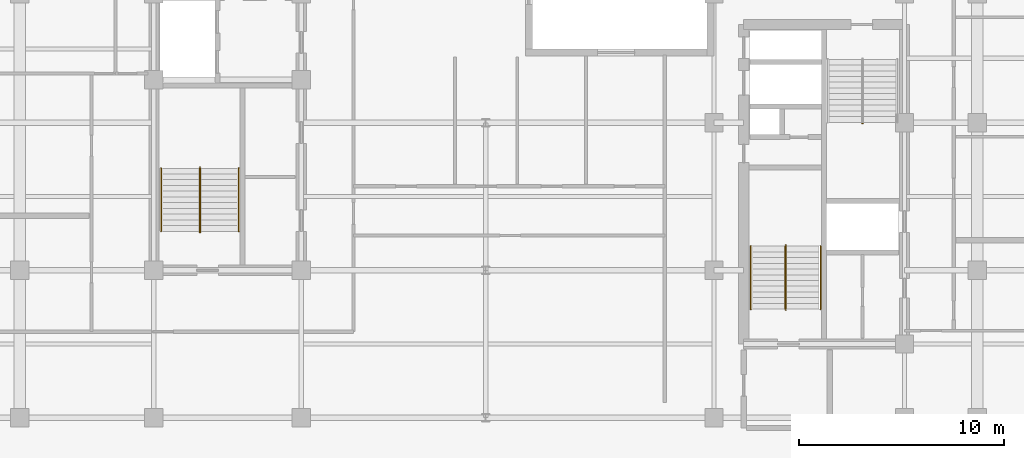
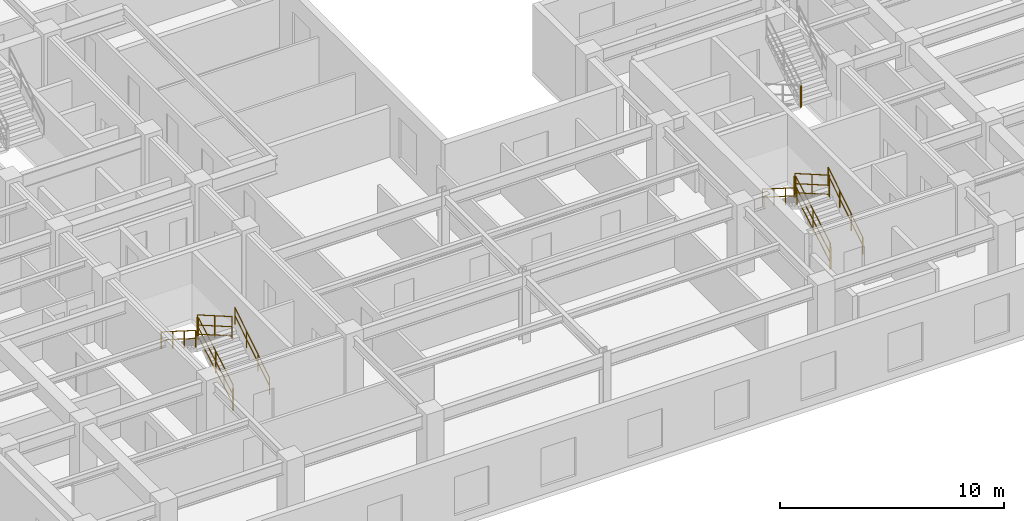
# One storey, part 9 of 11: 13 railings.
"""IFC4 building model written with IfcOpenShell, lengths in metres."""

from ifc_helpers import new_model, entity, si_unit, converted_unit, direction, frame, origin_with_axes, origin_2d_with_axis, place, context, subcontext, project, spatial, rectangle, circle, extrude, material, type_object, element, save


model = new_model("IFC4")

# Units and contexts
model_context = context("Model", 3, precision=1e-05, world=origin_with_axes(), true_north=direction((0.0, 1.0)))
body_context = subcontext(model_context, "Body", "Model", "MODEL_VIEW")
ifc_project = project(units=[si_unit("LENGTHUNIT", "METRE"), si_unit("AREAUNIT", "SQUARE_METRE"), si_unit("VOLUMEUNIT", "CUBIC_METRE"), converted_unit("PLANEANGLEUNIT", "DEGREE", entity("IfcPlaneAngleMeasure", 0.017453292519943295), si_unit("PLANEANGLEUNIT", "RADIAN"), dimensions=[0, 0, 0, 0, 0, 0, 0]), si_unit("MASSUNIT", "GRAM", prefix="KILO"), si_unit("THERMODYNAMICTEMPERATUREUNIT", "KELVIN")], contexts=[model_context])

# Site, building, storey
site_placement = place(None, origin_with_axes())
site = spatial("IfcSite", under=ifc_project, at=site_placement, CompositionType="ELEMENT")
building_placement = place(site_placement, origin_with_axes())
building = spatial("IfcBuilding", under=site, at=building_placement, Name="Varnlund Millrace Tower", CompositionType="ELEMENT")
storey_placement = place(building_placement, frame((0.0, 0.0, 204.3), z_axis=(0.0, 0.0, 1.0), x_axis=(1.0, 0.0, 0.0)))
storey = spatial("IfcBuildingStorey", under=building, at=storey_placement, Name="L50", CompositionType="ELEMENT", Elevation=204.3)

# Railings
ifc_material_1 = material(Name="Painted steel stair well balustrade guard", Category="steel")
railing_type_1 = type_object("IfcRailingType", Name="Type-StairGuard-1150", PredefinedType="GUARDRAIL", material=ifc_material_1)
railing_1_placement = place(storey_placement, frame((0.0, 0.0, -204.3), z_axis=(0.0, 0.0, 1.0), x_axis=(1.0, 0.0, 0.0)))
element("IfcRailing", 1, at=railing_1_placement, inside=storey, type_object=railing_type_1, Name="Type-StairGuard-1150", PredefinedType="GUARDRAIL", context=body_context, shape_type="SweptSolid", body=[
    extrude(circle(Radius=0.024, at=origin_2d_with_axis()), frame((13.675, 12.7, 205.627273), z_axis=(0.0, 0.866696, 0.498836), x_axis=(-1.0, 0.0, 0.0)), (0.0, 0.0, 1.0), 3.553725),
    extrude(circle(Radius=0.024, at=origin_2d_with_axis()), frame((13.675, 12.7, 204.577273), z_axis=(0.0, 0.866696, 0.498836), x_axis=(-1.0, 0.0, 0.0)), (0.0, 0.0, 1.0), 3.553725),
    extrude(circle(Radius=0.024, at=origin_2d_with_axis()), frame((13.675, 12.7, 205.075273), z_axis=(0.0, 0.866696, 0.498836), x_axis=(-1.0, 0.0, 0.0)), (0.0, 0.0, 1.0), 3.553725),
    extrude(rectangle(XDim=0.04, YDim=0.04, at=origin_2d_with_axis()), frame((13.675, 12.7, 204.437273), z_axis=(0.0, 0.0, 1.0), x_axis=(1.0, 0.0, 0.0)), (0.0, 0.0, 1.0), 1.19),
    extrude(rectangle(XDim=0.04, YDim=0.04, at=origin_2d_with_axis()), frame((13.675, 14.24, 205.323636), z_axis=(0.0, 0.0, 1.0), x_axis=(1.0, 0.0, 0.0)), (0.0, 0.0, 1.0), 1.19),
    extrude(rectangle(XDim=0.04, YDim=0.04, at=origin_2d_with_axis()), frame((13.675, 15.78, 206.21), z_axis=(0.0, 0.0, 1.0), x_axis=(1.0, 0.0, 0.0)), (0.0, 0.0, 1.0), 1.19),
])
railing_2_placement = place(storey_placement, frame((0.0, 0.0, -204.3), z_axis=(0.0, 0.0, 1.0), x_axis=(1.0, 0.0, 0.0)))
element("IfcRailing", 2, at=railing_2_placement, inside=storey, type_object=railing_type_1, Name="Type-StairGuard-1150", PredefinedType="GUARDRAIL", context=body_context, shape_type="SweptSolid", body=[
    extrude(circle(Radius=0.024, at=origin_2d_with_axis()), frame((13.625, 15.83, 207.4), z_axis=(1.0, 0.0, 0.0), x_axis=(0.0, 1.0, 0.0)), (0.0, 0.0, 1.0), 0.05),
    extrude(circle(Radius=0.024, at=origin_2d_with_axis()), frame((13.625, 15.83, 206.35), z_axis=(1.0, 0.0, 0.0), x_axis=(0.0, 1.0, 0.0)), (0.0, 0.0, 1.0), 0.05),
    extrude(circle(Radius=0.024, at=origin_2d_with_axis()), frame((13.625, 15.83, 206.848), z_axis=(1.0, 0.0, 0.0), x_axis=(0.0, 1.0, 0.0)), (0.0, 0.0, 1.0), 0.05),
    extrude(rectangle(XDim=0.04, YDim=0.04, at=origin_2d_with_axis()), frame((13.625, 15.83, 206.21), z_axis=(0.0, 0.0, 1.0), x_axis=(1.0, 0.0, 0.0)), (0.0, 0.0, 1.0), 1.19),
    extrude(rectangle(XDim=0.04, YDim=0.04, at=origin_2d_with_axis()), frame((13.675, 15.83, 206.21), z_axis=(0.0, 0.0, 1.0), x_axis=(1.0, 0.0, 0.0)), (0.0, 0.0, 1.0), 1.19),
])
railing_3_placement = place(storey_placement, frame((0.0, 0.0, -204.3), z_axis=(0.0, 0.0, 1.0), x_axis=(1.0, 0.0, 0.0)))
element("IfcRailing", 3, at=railing_3_placement, inside=storey, type_object=railing_type_1, Name="Type-StairGuard-1150", PredefinedType="GUARDRAIL", context=body_context, shape_type="SweptSolid", body=[
    extrude(circle(Radius=0.024, at=origin_2d_with_axis()), frame((13.625, 15.78, 207.577273), z_axis=(0.0, -0.866696, 0.498836), x_axis=(1.0, 0.0, 0.0)), (0.0, 0.0, 1.0), 3.553725),
    extrude(circle(Radius=0.024, at=origin_2d_with_axis()), frame((13.625, 15.78, 206.527273), z_axis=(0.0, -0.866696, 0.498836), x_axis=(1.0, 0.0, 0.0)), (0.0, 0.0, 1.0), 3.553725),
    extrude(circle(Radius=0.024, at=origin_2d_with_axis()), frame((13.625, 15.78, 207.025273), z_axis=(0.0, -0.866696, 0.498836), x_axis=(1.0, 0.0, 0.0)), (0.0, 0.0, 1.0), 3.553725),
    extrude(rectangle(XDim=0.04, YDim=0.04, at=origin_2d_with_axis()), frame((13.625, 15.78, 206.387273), z_axis=(0.0, 0.0, 1.0), x_axis=(1.0, 0.0, 0.0)), (0.0, 0.0, 1.0), 1.19),
    extrude(rectangle(XDim=0.04, YDim=0.04, at=origin_2d_with_axis()), frame((13.625, 14.24, 207.273637), z_axis=(0.0, 0.0, 1.0), x_axis=(1.0, 0.0, 0.0)), (0.0, 0.0, 1.0), 1.19),
    extrude(rectangle(XDim=0.04, YDim=0.04, at=origin_2d_with_axis()), frame((13.625, 12.7, 208.16), z_axis=(0.0, 0.0, 1.0), x_axis=(1.0, 0.0, 0.0)), (0.0, 0.0, 1.0), 1.19),
])
railing_4_placement = place(storey_placement, frame((0.0, 0.0, -204.3), z_axis=(0.0, 0.0, 1.0), x_axis=(1.0, 0.0, 0.0)))
element("IfcRailing", 4, at=railing_4_placement, inside=storey, type_object=railing_type_1, Name="Type-StairGuard-1150", PredefinedType="GUARDRAIL", context=body_context, shape_type="SweptSolid", body=[
    extrude(circle(Radius=0.024, at=origin_2d_with_axis()), frame((13.625, 12.65, 205.45), z_axis=(1.0, 0.0, 0.0), x_axis=(0.0, 1.0, 0.0)), (0.0, 0.0, 1.0), 0.05),
    extrude(circle(Radius=0.024, at=origin_2d_with_axis()), frame((13.625, 12.65, 204.4), z_axis=(1.0, 0.0, 0.0), x_axis=(0.0, 1.0, 0.0)), (0.0, 0.0, 1.0), 0.05),
    extrude(circle(Radius=0.024, at=origin_2d_with_axis()), frame((13.625, 12.65, 204.898), z_axis=(1.0, 0.0, 0.0), x_axis=(0.0, 1.0, 0.0)), (0.0, 0.0, 1.0), 0.05),
    extrude(rectangle(XDim=0.04, YDim=0.04, at=origin_2d_with_axis()), frame((13.625, 12.65, 204.26), z_axis=(0.0, 0.0, 1.0), x_axis=(1.0, 0.0, 0.0)), (0.0, 0.0, 1.0), 1.19),
    extrude(rectangle(XDim=0.04, YDim=0.04, at=origin_2d_with_axis()), frame((13.675, 12.65, 204.26), z_axis=(0.0, 0.0, 1.0), x_axis=(1.0, 0.0, 0.0)), (0.0, 0.0, 1.0), 1.19),
])
railing_5_placement = place(storey_placement, frame((0.0, 0.0, -204.3), z_axis=(0.0, 0.0, 1.0), x_axis=(1.0, 0.0, 0.0)))
element("IfcRailing", 5, at=railing_5_placement, inside=storey, type_object=railing_type_1, Name="Type-StairGuard-1150", PredefinedType="GUARDRAIL", context=body_context, shape_type="SweptSolid", body=[
    extrude(circle(Radius=0.024, at=origin_2d_with_axis()), frame((42.275, 8.9, 205.627273), z_axis=(0.0, 0.866696, 0.498836), x_axis=(-1.0, 0.0, 0.0)), (0.0, 0.0, 1.0), 3.553725),
    extrude(circle(Radius=0.024, at=origin_2d_with_axis()), frame((42.275, 8.9, 204.577273), z_axis=(0.0, 0.866696, 0.498836), x_axis=(-1.0, 0.0, 0.0)), (0.0, 0.0, 1.0), 3.553725),
    extrude(circle(Radius=0.024, at=origin_2d_with_axis()), frame((42.275, 8.9, 205.075273), z_axis=(0.0, 0.866696, 0.498836), x_axis=(-1.0, 0.0, 0.0)), (0.0, 0.0, 1.0), 3.553725),
    extrude(rectangle(XDim=0.04, YDim=0.04, at=origin_2d_with_axis()), frame((42.275, 8.9, 204.437273), z_axis=(0.0, 0.0, 1.0), x_axis=(1.0, 0.0, 0.0)), (0.0, 0.0, 1.0), 1.19),
    extrude(rectangle(XDim=0.04, YDim=0.04, at=origin_2d_with_axis()), frame((42.275, 10.44, 205.323636), z_axis=(0.0, 0.0, 1.0), x_axis=(1.0, 0.0, 0.0)), (0.0, 0.0, 1.0), 1.19),
    extrude(rectangle(XDim=0.04, YDim=0.04, at=origin_2d_with_axis()), frame((42.275, 11.98, 206.21), z_axis=(0.0, 0.0, 1.0), x_axis=(1.0, 0.0, 0.0)), (0.0, 0.0, 1.0), 1.19),
])
railing_6_placement = place(storey_placement, frame((0.0, 0.0, -204.3), z_axis=(0.0, 0.0, 1.0), x_axis=(1.0, 0.0, 0.0)))
element("IfcRailing", 6, at=railing_6_placement, inside=storey, type_object=railing_type_1, Name="Type-StairGuard-1150", PredefinedType="GUARDRAIL", context=body_context, shape_type="SweptSolid", body=[
    extrude(circle(Radius=0.024, at=origin_2d_with_axis()), frame((42.225, 12.03, 207.4), z_axis=(1.0, 0.0, 0.0), x_axis=(0.0, 1.0, 0.0)), (0.0, 0.0, 1.0), 0.05),
    extrude(circle(Radius=0.024, at=origin_2d_with_axis()), frame((42.225, 12.03, 206.35), z_axis=(1.0, 0.0, 0.0), x_axis=(0.0, 1.0, 0.0)), (0.0, 0.0, 1.0), 0.05),
    extrude(circle(Radius=0.024, at=origin_2d_with_axis()), frame((42.225, 12.03, 206.848), z_axis=(1.0, 0.0, 0.0), x_axis=(0.0, 1.0, 0.0)), (0.0, 0.0, 1.0), 0.05),
    extrude(rectangle(XDim=0.04, YDim=0.04, at=origin_2d_with_axis()), frame((42.225, 12.03, 206.21), z_axis=(0.0, 0.0, 1.0), x_axis=(1.0, 0.0, 0.0)), (0.0, 0.0, 1.0), 1.19),
    extrude(rectangle(XDim=0.04, YDim=0.04, at=origin_2d_with_axis()), frame((42.275, 12.03, 206.21), z_axis=(0.0, 0.0, 1.0), x_axis=(1.0, 0.0, 0.0)), (0.0, 0.0, 1.0), 1.19),
])
railing_7_placement = place(storey_placement, frame((0.0, 0.0, -204.3), z_axis=(0.0, 0.0, 1.0), x_axis=(1.0, 0.0, 0.0)))
element("IfcRailing", 7, at=railing_7_placement, inside=storey, type_object=railing_type_1, Name="Type-StairGuard-1150", PredefinedType="GUARDRAIL", context=body_context, shape_type="SweptSolid", body=[
    extrude(circle(Radius=0.024, at=origin_2d_with_axis()), frame((42.225, 11.98, 207.577273), z_axis=(0.0, -0.866696, 0.498836), x_axis=(1.0, 0.0, 0.0)), (0.0, 0.0, 1.0), 3.553725),
    extrude(circle(Radius=0.024, at=origin_2d_with_axis()), frame((42.225, 11.98, 206.527273), z_axis=(0.0, -0.866696, 0.498836), x_axis=(1.0, 0.0, 0.0)), (0.0, 0.0, 1.0), 3.553725),
    extrude(circle(Radius=0.024, at=origin_2d_with_axis()), frame((42.225, 11.98, 207.025273), z_axis=(0.0, -0.866696, 0.498836), x_axis=(1.0, 0.0, 0.0)), (0.0, 0.0, 1.0), 3.553725),
    extrude(rectangle(XDim=0.04, YDim=0.04, at=origin_2d_with_axis()), frame((42.225, 11.98, 206.387273), z_axis=(0.0, 0.0, 1.0), x_axis=(1.0, 0.0, 0.0)), (0.0, 0.0, 1.0), 1.19),
    extrude(rectangle(XDim=0.04, YDim=0.04, at=origin_2d_with_axis()), frame((42.225, 10.44, 207.273637), z_axis=(0.0, 0.0, 1.0), x_axis=(1.0, 0.0, 0.0)), (0.0, 0.0, 1.0), 1.19),
    extrude(rectangle(XDim=0.04, YDim=0.04, at=origin_2d_with_axis()), frame((42.225, 8.9, 208.16), z_axis=(0.0, 0.0, 1.0), x_axis=(1.0, 0.0, 0.0)), (0.0, 0.0, 1.0), 1.19),
])
railing_8_placement = place(storey_placement, frame((0.0, 0.0, -204.3), z_axis=(0.0, 0.0, 1.0), x_axis=(1.0, 0.0, 0.0)))
element("IfcRailing", 8, at=railing_8_placement, inside=storey, type_object=railing_type_1, Name="Type-StairGuard-1150", PredefinedType="GUARDRAIL", context=body_context, shape_type="SweptSolid", body=[
    extrude(circle(Radius=0.024, at=origin_2d_with_axis()), frame((42.225, 8.85, 205.45), z_axis=(1.0, 0.0, 0.0), x_axis=(0.0, 1.0, 0.0)), (0.0, 0.0, 1.0), 0.05),
    extrude(circle(Radius=0.024, at=origin_2d_with_axis()), frame((42.225, 8.85, 204.4), z_axis=(1.0, 0.0, 0.0), x_axis=(0.0, 1.0, 0.0)), (0.0, 0.0, 1.0), 0.05),
    extrude(circle(Radius=0.024, at=origin_2d_with_axis()), frame((42.225, 8.85, 204.898), z_axis=(1.0, 0.0, 0.0), x_axis=(0.0, 1.0, 0.0)), (0.0, 0.0, 1.0), 0.05),
    extrude(rectangle(XDim=0.04, YDim=0.04, at=origin_2d_with_axis()), frame((42.225, 8.85, 204.26), z_axis=(0.0, 0.0, 1.0), x_axis=(1.0, 0.0, 0.0)), (0.0, 0.0, 1.0), 1.19),
    extrude(rectangle(XDim=0.04, YDim=0.04, at=origin_2d_with_axis()), frame((42.275, 8.85, 204.26), z_axis=(0.0, 0.0, 1.0), x_axis=(1.0, 0.0, 0.0)), (0.0, 0.0, 1.0), 1.19),
])
railing_9_placement = place(storey_placement, frame((0.0, 0.0, -204.3), z_axis=(0.0, 0.0, 1.0), x_axis=(1.0, 0.0, 0.0)))
element("IfcRailing", 9, at=railing_9_placement, inside=storey, type_object=railing_type_1, Name="Type-StairGuard-1150", PredefinedType="GUARDRAIL", context=body_context, shape_type="SweptSolid", body=[
    extrude(circle(Radius=0.024, at=origin_2d_with_axis()), frame((46.025, 17.97, 207.4), z_axis=(-1.0, 0.0, 0.0), x_axis=(0.0, -1.0, 0.0)), (0.0, 0.0, 1.0), 0.05),
    extrude(circle(Radius=0.024, at=origin_2d_with_axis()), frame((46.025, 17.97, 206.35), z_axis=(-1.0, 0.0, 0.0), x_axis=(0.0, -1.0, 0.0)), (0.0, 0.0, 1.0), 0.05),
    extrude(circle(Radius=0.024, at=origin_2d_with_axis()), frame((46.025, 17.97, 206.848), z_axis=(-1.0, 0.0, 0.0), x_axis=(0.0, -1.0, 0.0)), (0.0, 0.0, 1.0), 0.05),
    extrude(rectangle(XDim=0.04, YDim=0.04, at=origin_2d_with_axis()), frame((46.025, 17.97, 206.21), z_axis=(0.0, 0.0, 1.0), x_axis=(1.0, 0.0, 0.0)), (0.0, 0.0, 1.0), 1.19),
    extrude(rectangle(XDim=0.04, YDim=0.04, at=origin_2d_with_axis()), frame((45.975, 17.97, 206.21), z_axis=(0.0, 0.0, 1.0), x_axis=(1.0, 0.0, 0.0)), (0.0, 0.0, 1.0), 1.19),
])
ifc_material_2 = material(Name="Brushed architectural bronze stair handrail", Category="aluminium")
railing_type_2 = type_object("IfcRailingType", Name="Type-StairHandrail-900", PredefinedType="HANDRAIL", material=ifc_material_2)
railing_10_placement = place(storey_placement, frame((0.0, 0.0, -204.3), z_axis=(0.0, 0.0, 1.0), x_axis=(1.0, 0.0, 0.0)))
element("IfcRailing", 10, at=railing_10_placement, inside=storey, type_object=railing_type_2, Name="Type-StairHandrail-900", PredefinedType="HANDRAIL", context=body_context, shape_type="SweptSolid", body=[
    extrude(circle(Radius=0.024, at=origin_2d_with_axis()), frame((15.55, 12.7, 205.356995), z_axis=(0.0, 0.844902, 0.534922), x_axis=(-1.0, 0.0, 0.0)), (0.0, 0.0, 1.0), 3.645394),
    extrude(circle(Radius=0.024, at=origin_2d_with_axis()), frame((15.55, 12.7, 204.917134), z_axis=(0.0, 0.844902, 0.534922), x_axis=(-1.0, 0.0, 0.0)), (0.0, 0.0, 1.0), 3.645394),
    extrude(rectangle(XDim=0.04, YDim=0.04, at=origin_2d_with_axis()), frame((15.55, 12.7, 204.437273), z_axis=(0.0, 0.0, 1.0), x_axis=(1.0, 0.0, 0.0)), (0.0, 0.0, 1.0), 0.919722),
    extrude(rectangle(XDim=0.04, YDim=0.04, at=origin_2d_with_axis()), frame((15.55, 13.726667, 205.087273), z_axis=(0.0, 0.0, 1.0), x_axis=(1.0, 0.0, 0.0)), (0.0, 0.0, 1.0), 0.919722),
    extrude(rectangle(XDim=0.04, YDim=0.04, at=origin_2d_with_axis()), frame((15.55, 14.753333, 205.737273), z_axis=(0.0, 0.0, 1.0), x_axis=(1.0, 0.0, 0.0)), (0.0, 0.0, 1.0), 0.919722),
    extrude(rectangle(XDim=0.04, YDim=0.04, at=origin_2d_with_axis()), frame((15.55, 15.78, 206.387273), z_axis=(0.0, 0.0, 1.0), x_axis=(1.0, 0.0, 0.0)), (0.0, 0.0, 1.0), 0.919722),
])
railing_11_placement = place(storey_placement, frame((0.0, 0.0, -204.3), z_axis=(0.0, 0.0, 1.0), x_axis=(1.0, 0.0, 0.0)))
element("IfcRailing", 11, at=railing_11_placement, inside=storey, type_object=railing_type_2, Name="Type-StairHandrail-900", PredefinedType="HANDRAIL", context=body_context, shape_type="SweptSolid", body=[
    extrude(circle(Radius=0.024, at=origin_2d_with_axis()), frame((11.75, 15.78, 207.306995), z_axis=(0.0, -0.844902, 0.534922), x_axis=(1.0, 0.0, 0.0)), (0.0, 0.0, 1.0), 3.645394),
    extrude(circle(Radius=0.024, at=origin_2d_with_axis()), frame((11.75, 15.78, 206.867134), z_axis=(0.0, -0.844902, 0.534922), x_axis=(1.0, 0.0, 0.0)), (0.0, 0.0, 1.0), 3.645394),
    extrude(rectangle(XDim=0.04, YDim=0.04, at=origin_2d_with_axis()), frame((11.75, 15.78, 206.387273), z_axis=(0.0, 0.0, 1.0), x_axis=(1.0, 0.0, 0.0)), (0.0, 0.0, 1.0), 0.919722),
    extrude(rectangle(XDim=0.04, YDim=0.04, at=origin_2d_with_axis()), frame((11.75, 14.753333, 207.037273), z_axis=(0.0, 0.0, 1.0), x_axis=(1.0, 0.0, 0.0)), (0.0, 0.0, 1.0), 0.919722),
    extrude(rectangle(XDim=0.04, YDim=0.04, at=origin_2d_with_axis()), frame((11.75, 13.726667, 207.687273), z_axis=(0.0, 0.0, 1.0), x_axis=(1.0, 0.0, 0.0)), (0.0, 0.0, 1.0), 0.919722),
    extrude(rectangle(XDim=0.04, YDim=0.04, at=origin_2d_with_axis()), frame((11.75, 12.7, 208.337273), z_axis=(0.0, 0.0, 1.0), x_axis=(1.0, 0.0, 0.0)), (0.0, 0.0, 1.0), 0.919722),
])
railing_12_placement = place(storey_placement, frame((0.0, 0.0, -204.3), z_axis=(0.0, 0.0, 1.0), x_axis=(1.0, 0.0, 0.0)))
element("IfcRailing", 12, at=railing_12_placement, inside=storey, type_object=railing_type_2, Name="Type-StairHandrail-900", PredefinedType="HANDRAIL", context=body_context, shape_type="SweptSolid", body=[
    extrude(circle(Radius=0.024, at=origin_2d_with_axis()), frame((43.95, 8.9, 205.356995), z_axis=(0.0, 0.844902, 0.534922), x_axis=(-1.0, 0.0, 0.0)), (0.0, 0.0, 1.0), 3.645394),
    extrude(circle(Radius=0.024, at=origin_2d_with_axis()), frame((43.95, 8.9, 204.917134), z_axis=(0.0, 0.844902, 0.534922), x_axis=(-1.0, 0.0, 0.0)), (0.0, 0.0, 1.0), 3.645394),
    extrude(rectangle(XDim=0.04, YDim=0.04, at=origin_2d_with_axis()), frame((43.95, 8.9, 204.437273), z_axis=(0.0, 0.0, 1.0), x_axis=(1.0, 0.0, 0.0)), (0.0, 0.0, 1.0), 0.919722),
    extrude(rectangle(XDim=0.04, YDim=0.04, at=origin_2d_with_axis()), frame((43.95, 9.926667, 205.087273), z_axis=(0.0, 0.0, 1.0), x_axis=(1.0, 0.0, 0.0)), (0.0, 0.0, 1.0), 0.919722),
    extrude(rectangle(XDim=0.04, YDim=0.04, at=origin_2d_with_axis()), frame((43.95, 10.953333, 205.737273), z_axis=(0.0, 0.0, 1.0), x_axis=(1.0, 0.0, 0.0)), (0.0, 0.0, 1.0), 0.919722),
    extrude(rectangle(XDim=0.04, YDim=0.04, at=origin_2d_with_axis()), frame((43.95, 11.98, 206.387273), z_axis=(0.0, 0.0, 1.0), x_axis=(1.0, 0.0, 0.0)), (0.0, 0.0, 1.0), 0.919722),
])
railing_13_placement = place(storey_placement, frame((0.0, 0.0, -204.3), z_axis=(0.0, 0.0, 1.0), x_axis=(1.0, 0.0, 0.0)))
element("IfcRailing", 13, at=railing_13_placement, inside=storey, type_object=railing_type_2, Name="Type-StairHandrail-900", PredefinedType="HANDRAIL", context=body_context, shape_type="SweptSolid", body=[
    extrude(circle(Radius=0.024, at=origin_2d_with_axis()), frame((40.55, 11.98, 207.306995), z_axis=(0.0, -0.844902, 0.534922), x_axis=(1.0, 0.0, 0.0)), (0.0, 0.0, 1.0), 3.645394),
    extrude(circle(Radius=0.024, at=origin_2d_with_axis()), frame((40.55, 11.98, 206.867134), z_axis=(0.0, -0.844902, 0.534922), x_axis=(1.0, 0.0, 0.0)), (0.0, 0.0, 1.0), 3.645394),
    extrude(rectangle(XDim=0.04, YDim=0.04, at=origin_2d_with_axis()), frame((40.55, 11.98, 206.387273), z_axis=(0.0, 0.0, 1.0), x_axis=(1.0, 0.0, 0.0)), (0.0, 0.0, 1.0), 0.919722),
    extrude(rectangle(XDim=0.04, YDim=0.04, at=origin_2d_with_axis()), frame((40.55, 10.953333, 207.037273), z_axis=(0.0, 0.0, 1.0), x_axis=(1.0, 0.0, 0.0)), (0.0, 0.0, 1.0), 0.919722),
    extrude(rectangle(XDim=0.04, YDim=0.04, at=origin_2d_with_axis()), frame((40.55, 9.926667, 207.687273), z_axis=(0.0, 0.0, 1.0), x_axis=(1.0, 0.0, 0.0)), (0.0, 0.0, 1.0), 0.919722),
    extrude(rectangle(XDim=0.04, YDim=0.04, at=origin_2d_with_axis()), frame((40.55, 8.9, 208.337273), z_axis=(0.0, 0.0, 1.0), x_axis=(1.0, 0.0, 0.0)), (0.0, 0.0, 1.0), 0.919722),
])

save(model, "model.ifc")
